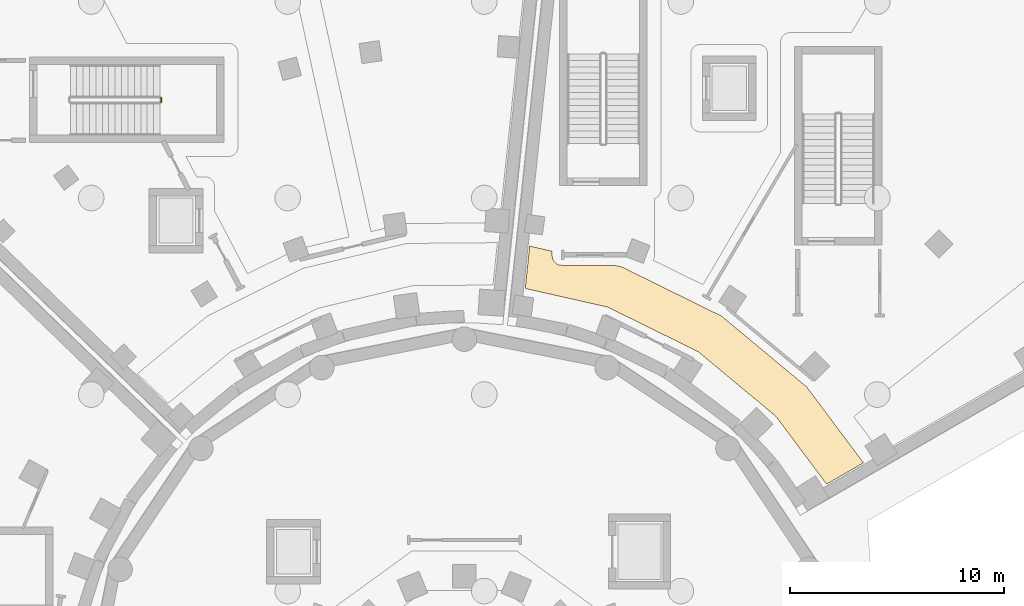
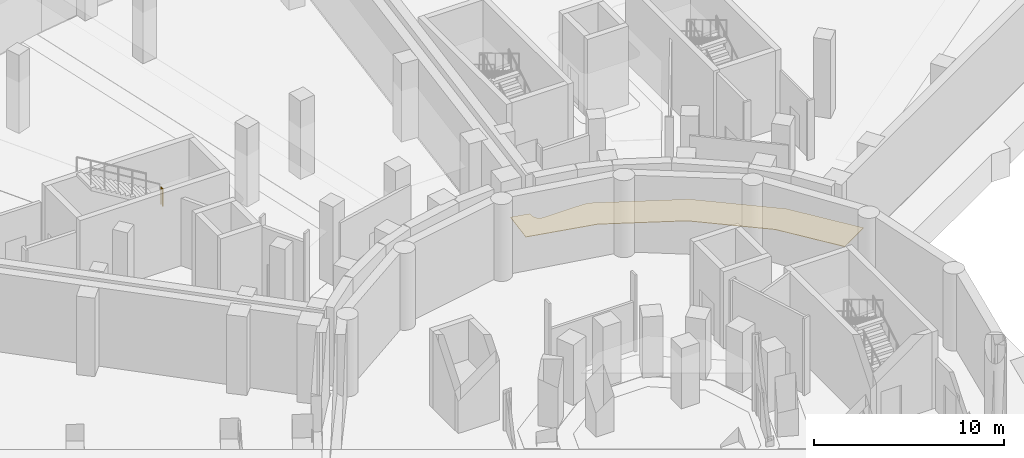
# One storey, part 27 of 33: 1 covering, 1 railing.
"""IFC4 building model written with IfcOpenShell, lengths in metres."""

from ifc_helpers import new_model, si_unit, direction, frame, origin, origin_2d, place, context, subcontext, project, spatial, polyline, circle, outline, extrude, material, layer, layer_set, type_object, element, save


model = new_model("IFC4")

# Units and contexts
model_context = context("Model", 3, precision=1e-05, world=origin(), true_north=direction((0.0, 1.0)))
body_context = subcontext(model_context, "Body", "Model", "MODEL_VIEW")
ifc_project = project(units=[si_unit("LENGTHUNIT", "METRE"), si_unit("AREAUNIT", "SQUARE_METRE"), si_unit("VOLUMEUNIT", "CUBIC_METRE"), si_unit("PLANEANGLEUNIT", "RADIAN"), si_unit("MASSUNIT", "GRAM", prefix="KILO")], contexts=[model_context])

# Site, building, storey
site_placement = place(None, origin())
site = spatial("IfcSite", under=ifc_project, at=site_placement, CompositionType="ELEMENT")
building_placement = place(site_placement, origin())
building = spatial("IfcBuilding", under=site, at=building_placement, Name="Soyqirgoq Riverine Aquarium", CompositionType="ELEMENT")
storey_placement = place(building_placement, frame((0.0, 0.0, -5.39990234375)))
storey = spatial("IfcBuildingStorey", under=building, at=storey_placement, Name="B01", CompositionType="ELEMENT", Elevation=-5.39990234375)

# Railing
ifc_material_1 = material(Name="Painted steel infill stair-well guardrail", Category="steel")
railing_type = type_object("IfcRailingType", Name="StairWellGuard_1120", PredefinedType="GUARDRAIL", material=ifc_material_1)
railing_placement = place(storey_placement, frame((41.800048828125, 85.550048828125, 2.699951171875)))
element("IfcRailing", 1, at=railing_placement, inside=storey, type_object=railing_type, Name="B01 ST-4 stair guard 2", PredefinedType="GUARDRAIL", context=body_context, shape_type="SweptSolid", body=[
    extrude(circle(Radius=0.02392578125, at=origin_2d()), frame((0.0, 0.0, 1.09619140625), z_axis=(0.0, 1.0, 0.0), x_axis=(-1.0, 0.0, 0.0)), (0.0, 0.0, 1.0), 0.199951171875),
    extrude(circle(Radius=0.02099609375, at=origin_2d()), origin(), (0.0, 0.0, 1.0), 1.072021484375),
    extrude(circle(Radius=0.02099609375, at=origin_2d()), frame((0.0, 0.199951171875, 0.0)), (0.0, 0.0, 1.0), 1.072021484375),
])

# Covering
ifc_material_2 = material(Name="Polished Chirchiq river-pebble terrazzo flooring", Category="concrete")
ifc_layer = layer(ifc_material_2, 0.030029296875)
ifc_layer_set = layer_set([ifc_layer], Name="Polished Chirchiq river-pebble terrazzo flooring")
covering_type = type_object("IfcCoveringType", Name="TerrazzoFloorFinish_30", PredefinedType="FLOORING", material=ifc_layer_set)
covering_placement = place(storey_placement, origin())
element("IfcCovering", 2, at=covering_placement, inside=storey, type_object=covering_type, Name="V5 Gallery Circulation Corridor Floor Finish", PredefinedType="FLOORING", context=body_context, shape_type="SweptSolid", body=[
    extrude(outline(polyline([(59.055908203125, 78.806884765625), (60.110107421875, 78.568115234375), (60.110107421875, 78.360107421875), (60.112060546875, 78.31591796875), (60.118896484375, 78.27197265625), (60.12890625, 78.22900390625), (60.14404296875, 78.18798828125), (60.1630859375, 78.14794921875), (60.18603515625, 78.110107421875), (60.2119140625, 78.074951171875), (60.241943359375, 78.0419921875), (60.27490234375, 78.011962890625), (60.31005859375, 77.986083984375), (60.347900390625, 77.962890625), (60.387939453125, 77.944091796875), (60.428955078125, 77.928955078125), (60.471923828125, 77.9189453125), (60.51611328125, 77.912109375), (60.56005859375, 77.909912109375), (63.02001953125, 77.909912109375), (63.3759765625, 77.8291015625), (68.034912109375, 75.531982421875), (72.029052734375, 72.2099609375), (74.678955078125, 68.662109375), (72.951904296875, 67.6650390625), (70.614013671875, 70.794921875), (70.580078125, 70.8359375), (70.541015625, 70.8720703125), (66.989990234375, 73.825927734375), (66.947021484375, 73.85693359375), (66.90087890625, 73.883056640625), (62.758056640625, 75.926025390625), (62.7099609375, 75.947021484375), (62.658935546875, 75.9619140625), (58.847900390625, 76.823974609375), (59.055908203125, 78.806884765625)])), origin(), (0.0, 0.0, 1.0), 0.02978515625),
])

save(model, "model.ifc")
